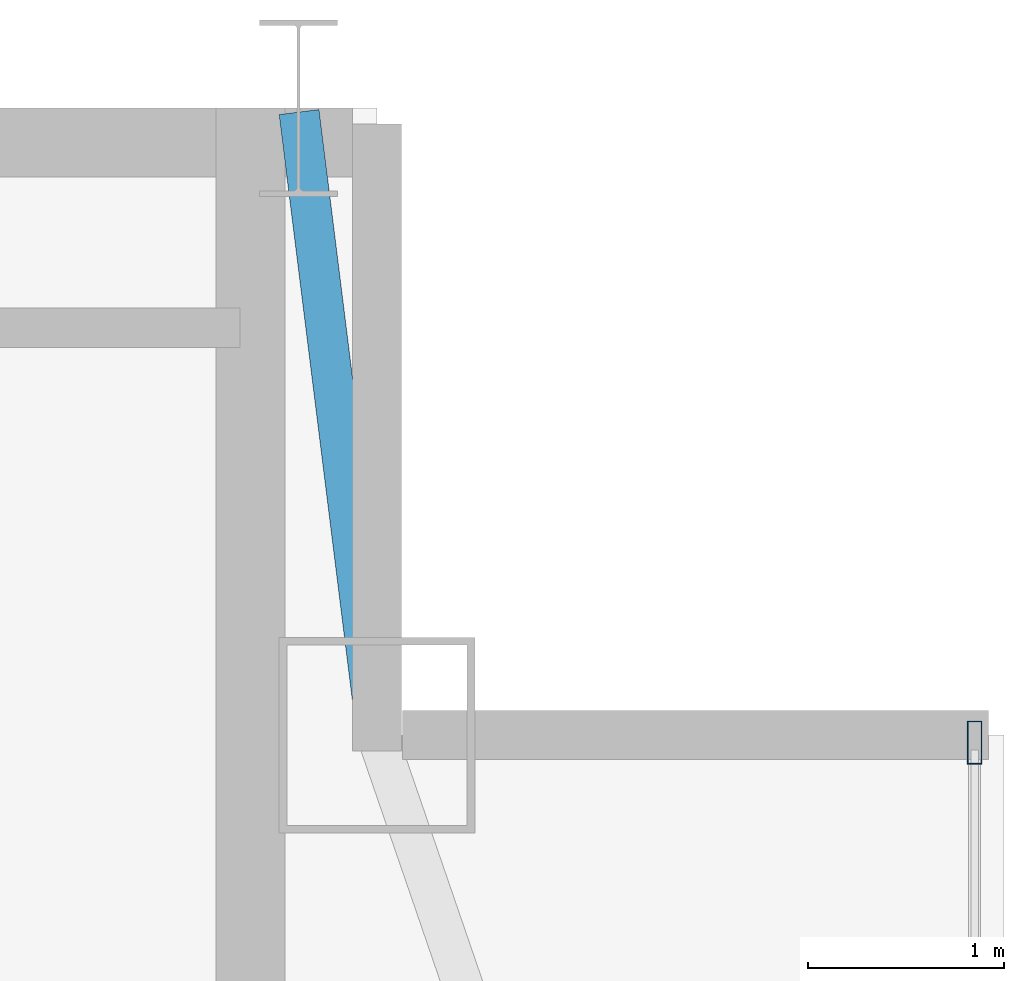
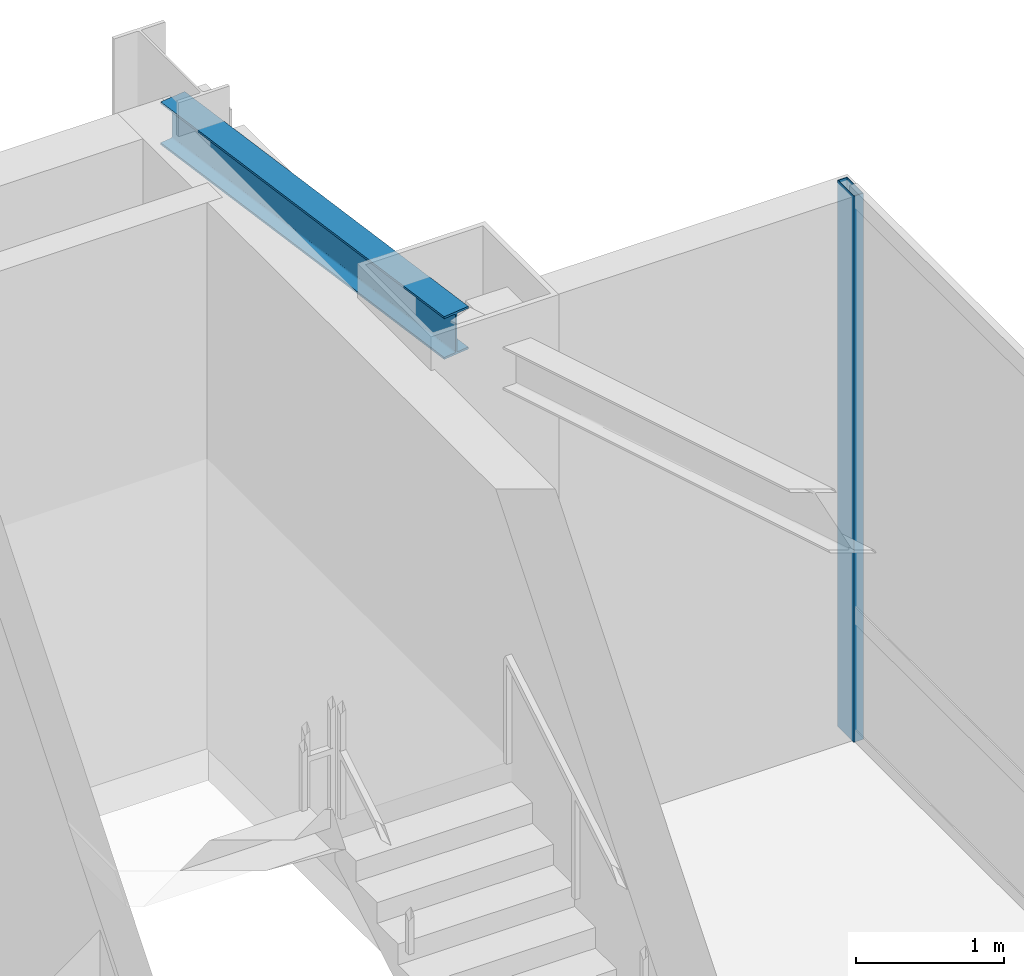
# One storey, part 16 of 22: 1 beam, 1 member, 1 element without a shape of its own.
"""IFC4 building model written with IfcOpenShell, lengths in metres."""

from ifc_helpers import new_model, si_unit, direction, frame, origin, origin_2d, place, context, subcontext, project, spatial, hollow_rectangle, i_section, extrude, source, transform, mapped, material, layer, layer_set, material_profile, profile_set, type_object, type_shapes, element, aggregate, save


model = new_model("IFC4")

# Units and contexts
model_context = context("Model", 3, precision=1e-05, world=origin(), true_north=direction((0.0, 1.0)))
body_context = subcontext(model_context, "Body", "Model", "MODEL_VIEW")
ifc_project = project(units=[si_unit("LENGTHUNIT", "METRE"), si_unit("AREAUNIT", "SQUARE_METRE"), si_unit("VOLUMEUNIT", "CUBIC_METRE"), si_unit("PLANEANGLEUNIT", "RADIAN"), si_unit("MASSUNIT", "GRAM", prefix="KILO")], contexts=[model_context])

# Site, building, storey
site_placement = place(None, origin())
site = spatial("IfcSite", under=ifc_project, at=site_placement, CompositionType="ELEMENT")
building_placement = place(site_placement, origin())
building = spatial("IfcBuilding", under=site, at=building_placement, Name="Varnel Quay Broadcast Tower", CompositionType="ELEMENT")
storey_placement = place(building_placement, frame((0.0, 0.0, 305.0)))
storey = spatial("IfcBuildingStorey", under=building, at=storey_placement, Name="L76", CompositionType="ELEMENT", Elevation=305.0)

# Beam
ifc_material_1 = material(Name="Structural Steel CSA G40.21 350W", Category="steel")
ifc_material_profile_1 = material_profile(ifc_material_1, i_section(OverallWidth=0.205078125, OverallDepth=0.35400390625, WebThickness=0.009521484375, FlangeThickness=0.016845703125, FilletRadius=0.012939453125, at=origin_2d()), Name="W360X79")
ifc_profile_set_1 = profile_set([ifc_material_profile_1], Name="Structural Steel CSA G40.21 350W")
beam_type = type_object("IfcBeamType", Name="Beam_W360X79", PredefinedType="SPANDREL", material=ifc_profile_set_1)
shared_shape_1 = source(origin(), body_context, "Body", "SweptSolid", [
    extrude(i_section(OverallWidth=0.205078125, OverallDepth=0.35400390625, WebThickness=0.009521484375, FlangeThickness=0.016845703125, FilletRadius=0.012939453125, at=origin_2d()), origin(), (0.0, 0.0, 1.0), 3.18505859375),
])
type_shapes(beam_type, [shared_shape_1])
beam_placement = place(storey_placement, frame((52.402587890625, 46.7802734375, 4.343017578125), z_axis=(0.124025300311, -0.992279055953, 0.0), x_axis=(0.992279055953, 0.124025300311, 0.0)))
element("IfcBeam", 1, at=beam_placement, inside=storey, type_object=beam_type, Name="L76 NE Tie Spandrel", PredefinedType="SPANDREL", context=body_context, shape_type="MappedRepresentation", body=[
    mapped(shared_shape_1, transform((0.0, 0.0, 0.0), x_axis=(1.0, 0.0, 0.0), y_axis=(0.0, 1.0, 0.0), z_axis=(0.0, 0.0, 1.0), scale=1.0)),
])

# Curtain wall, member
ifc_material_2 = material(Name="Anodised Bronze Aluminium 6063-T6", Category="aluminium")
ifc_layer = layer(ifc_material_2, 0.18994140625, Name="Anodised Bronze Aluminium 6063-T6")
ifc_layer_set = layer_set([ifc_layer], Name="Anodised Bronze Aluminium 6063-T6")
curtain_wall_type = type_object("IfcCurtainWallType", Name="CW_SkyObsHighVis", PredefinedType="NOTDEFINED", material=ifc_layer_set)
curtain_wall_placement = place(storey_placement, origin())
curtain_wall = element("IfcCurtainWall", 2, at=curtain_wall_placement, inside=storey, type_object=curtain_wall_type, Name="L76 East Unitised Curtain Wall", PredefinedType="NOTDEFINED")
ifc_material_profile_2 = material_profile(ifc_material_2, hollow_rectangle(XDim=0.074951171875, YDim=0.219970703125, WallThickness=0.00390625, at=origin_2d()), Name="ALU75X220X4")
ifc_profile_set_2 = profile_set([ifc_material_profile_2], Name="Anodised Bronze Aluminium 6063-T6")
member_type = type_object("IfcMemberType", Name="Mull_CWS-05", PredefinedType="MULLION", material=ifc_profile_set_2)
shared_shape_2 = source(origin(), body_context, "Body", "SweptSolid", [
    extrude(hollow_rectangle(XDim=0.074951171875, YDim=0.219970703125, WallThickness=0.00390625, at=origin_2d()), origin(), (0.0, 0.0, 1.0), 4.52001953125),
])
type_shapes(member_type, [shared_shape_2])
member_placement = place(storey_placement, frame((55.85009765625, 43.5625, 0.0), z_axis=(0.0, 0.0, 1.0), x_axis=(-1.0, 0.0, 0.0)))
member = element("IfcMember", 3, at=member_placement, type_object=member_type, Name="CWS-05 mullion 4", PredefinedType="MULLION", context=body_context, shape_type="MappedRepresentation", body=[
    mapped(shared_shape_2, transform((0.0, 0.0, 0.0), x_axis=(1.0, 0.0, 0.0), y_axis=(0.0, 1.0, 0.0), z_axis=(0.0, 0.0, 1.0), scale=1.0)),
])
aggregate(curtain_wall, [member])

save(model, "model.ifc")
